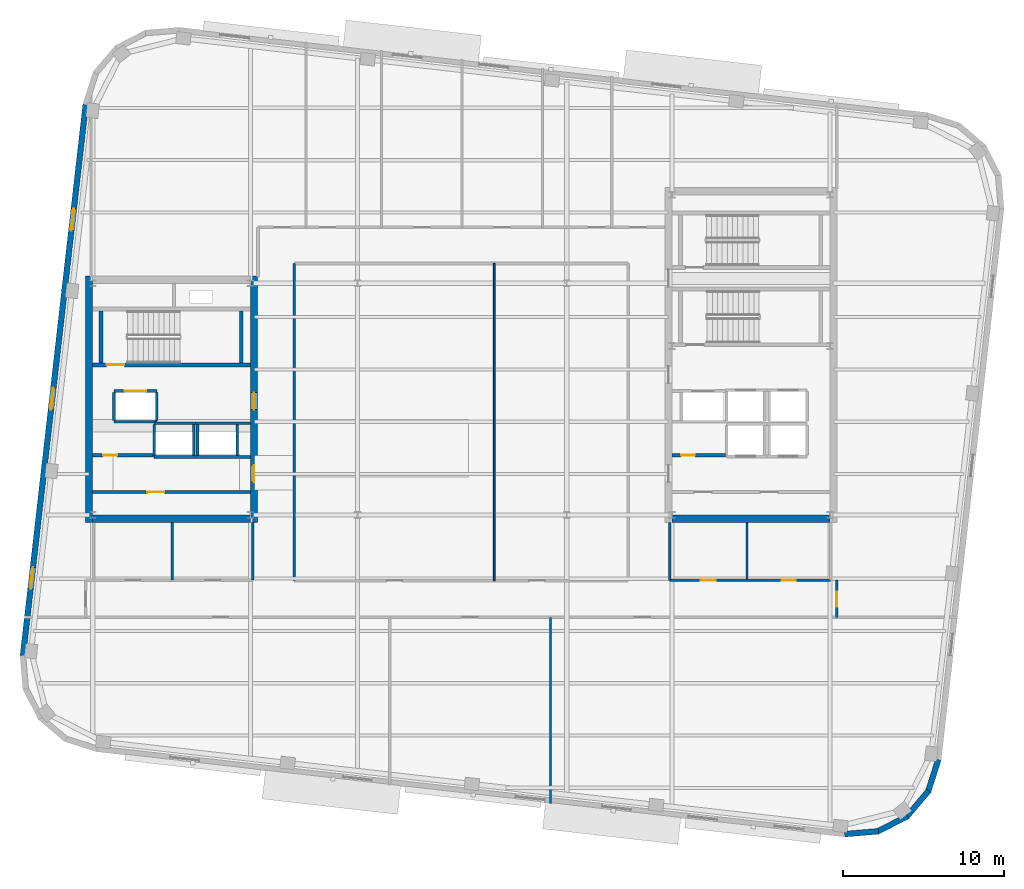
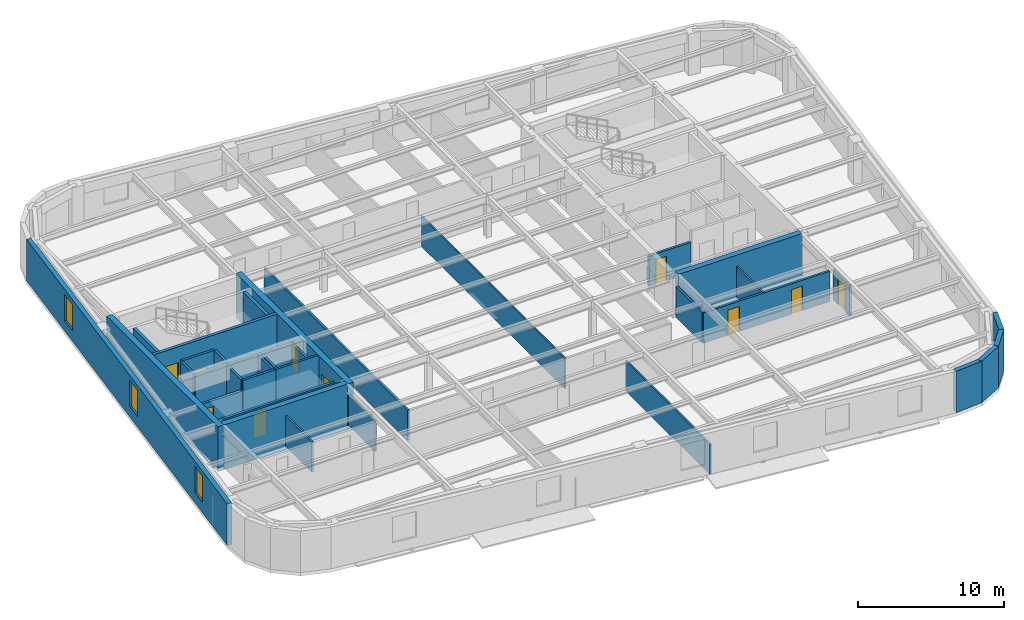
# One storey, part 6 of 13: 36 walls, 10 doors, 3 windows, 13 openings.
"""IFC4 building model written with IfcOpenShell, lengths in metres."""

from ifc_helpers import new_model, si_unit, direction, frame, frame_2d, origin, place, context, subcontext, project, spatial, rectangle, extrude, material, layer, layer_set, type_object, element, fill, save


model = new_model("IFC4")

# Units and contexts
model_context = context("Model", 3, precision=1e-05, world=origin(), true_north=direction((0.0, 1.0)))
body_context = subcontext(model_context, "Body", "Model", "MODEL_VIEW")
ifc_project = project(units=[si_unit("LENGTHUNIT", "METRE"), si_unit("AREAUNIT", "SQUARE_METRE"), si_unit("VOLUMEUNIT", "CUBIC_METRE"), si_unit("PLANEANGLEUNIT", "RADIAN"), si_unit("MASSUNIT", "GRAM", prefix="KILO")], contexts=[model_context])

# Site, building, storey
site_placement = place(None, origin())
site = spatial("IfcSite", under=ifc_project, at=site_placement, CompositionType="ELEMENT")
building_placement = place(site_placement, origin())
building = spatial("IfcBuilding", under=site, at=building_placement, Name="Kolvaren Arena Tower", CompositionType="ELEMENT")
storey_placement = place(building_placement, frame((0.0, 0.0, 239.699951171875)))
storey = spatial("IfcBuildingStorey", under=building, at=storey_placement, Name="L58", CompositionType="ELEMENT", Elevation=239.699951171875)

# Wall
ifc_material_1 = material(Name="Gypsum board acoustic assembly", Category="gypsum")
ifc_layer_1 = layer(ifc_material_1, 0.159912109375)
ifc_layer_set_1 = layer_set([ifc_layer_1], Name="Gypsum board acoustic assembly")
wall_type_1 = type_object("IfcWallType", Name="CORR-160", PredefinedType="PARTITIONING", material=ifc_layer_set_1)
wall_1_placement = place(storey_placement, frame((27.080078125, 15.3798828125, 0.0), z_axis=(0.0, 0.0, 1.0), x_axis=(0.0, 1.0, 0.0)))
element("IfcWall", 1, at=wall_1_placement, inside=storey, type_object=wall_type_1, Name="Interior Partition Wall (L58)", PredefinedType="PARTITIONING", context=body_context, shape_type="SweptSolid", body=[
    extrude(rectangle(XDim=19.7001953125, YDim=0.159912109375, at=frame_2d((9.85009765625, 0.0))), origin(), (0.0, 0.0, 1.0), 2.5400390625),
])

# Wall, opening, door
wall_2_placement = place(storey_placement, frame((60.780029296875, 13.10009765625, 0.0), z_axis=(0.0, 0.0, 1.0), x_axis=(0.0, 1.0, 0.0)))
wall_2 = element("IfcWall", 2, at=wall_2_placement, inside=storey, type_object=wall_type_1, Name="Interior Partition Wall (L58)", PredefinedType="PARTITIONING", context=body_context, shape_type="SweptSolid", body=[
    extrude(rectangle(XDim=2.2998046875, YDim=0.159912109375, at=frame_2d((1.14990234375, 0.0))), origin(), (0.0, 0.0, 1.0), 2.5400390625),
])
opening_1_placement = place(wall_2_placement, frame((0.64990234375, 0.0, 0.0)))
opening_1 = element("IfcOpeningElement", 3, at=opening_1_placement, cuts=wall_2, Name="Opening D05", PredefinedType="OPENING", context=body_context, shape_type="SweptSolid", body=[
    extrude(rectangle(XDim=0.949951171875, YDim=2.14990234375, at=frame_2d((0.47509765625, 1.074951171875))), frame((0.0, 0.08984375, 0.0), z_axis=(0.0, -1.0, 0.0), x_axis=(1.0, 0.0, 0.0)), (0.0, 0.0, 1.0), 0.179931640625),
])
ifc_material_2 = material(Name="Solid-core oak acoustic office door", Category="wood")
door_type_1 = type_object("IfcDoorType", Name="DOOR-OF-095", OperationType="NOTDEFINED", PredefinedType="DOOR", material=ifc_material_2)
door_1_placement = place(opening_1_placement, origin())
door_1 = element("IfcDoor", 4, at=door_1_placement, inside=storey, type_object=door_type_1, Name="East Wing Studio Door (L58)", OperationType="SINGLE_SWING_RIGHT", OverallHeight=2.14990234375, OverallWidth=0.949951171875, PredefinedType="DOOR", context=body_context, shape_type="SweptSolid", body=[
    extrude(rectangle(XDim=0.949951171875, YDim=2.14990234375, at=frame_2d((0.47509765625, 1.074951171875))), frame((0.0, 0.02490234375, 0.0), z_axis=(0.0, -1.0, 0.0), x_axis=(1.0, 0.0, 0.0)), (0.0, 0.0, 1.0), 0.050048828125),
])
fill(opening_1, door_1)

# Wall
ifc_material_3 = material(Name="Concrete 55 MPa", Category="concrete")
ifc_layer_2 = layer(ifc_material_3, 0.449951171875)
ifc_layer_set_2 = layer_set([ifc_layer_2], Name="Concrete 55 MPa")
wall_type_2 = type_object("IfcWallType", Name="CWALL-450", PredefinedType="SHEAR", material=ifc_layer_set_2)
wall_3_placement = place(storey_placement, frame((14.324951171875, 19.0, -0.27001953125), z_axis=(0.0, 0.0, 1.0), x_axis=(0.0, 1.0, 0.0)))
element("IfcWall", 5, at=wall_3_placement, inside=storey, type_object=wall_type_2, Name="Core Shear Wall WC-WEST (L58)", PredefinedType="SHEAR", context=body_context, shape_type="SweptSolid", body=[
    extrude(rectangle(XDim=15.300048828125, YDim=0.449951171875, at=frame_2d((7.64990234375, 0.0))), origin(), (0.0, 0.0, 1.0), 3.75),
])

# Wall, openings, doors
wall_4_placement = place(storey_placement, frame((24.574951171875, 19.0, -0.27001953125), z_axis=(0.0, 0.0, 1.0), x_axis=(0.0, 1.0, 0.0)))
wall_4 = element("IfcWall", 6, at=wall_4_placement, inside=storey, type_object=wall_type_2, Name="Core Shear Wall WC-EAST (L58)", PredefinedType="SHEAR", context=body_context, shape_type="SweptSolid", body=[
    extrude(rectangle(XDim=15.300048828125, YDim=0.449951171875, at=frame_2d((7.64990234375, 0.0))), origin(), (0.0, 0.0, 1.0), 3.75),
])
opening_2_placement = place(wall_4_placement, frame((2.5, 0.0, 0.27001953125)))
opening_2 = element("IfcOpeningElement", 7, at=opening_2_placement, cuts=wall_4, Name="Opening D04", PredefinedType="OPENING", context=body_context, shape_type="SweptSolid", body=[
    extrude(rectangle(XDim=1.050048828125, YDim=2.14990234375, at=frame_2d((0.52490234375, 1.074951171875))), frame((0.0, 0.23486328125, 0.0), z_axis=(0.0, -1.0, 0.0), x_axis=(1.0, 0.0, 0.0)), (0.0, 0.0, 1.0), 0.469970703125),
])
opening_3_placement = place(wall_4_placement, frame((7.0, 0.0, 0.27001953125)))
opening_3 = element("IfcOpeningElement", 8, at=opening_3_placement, cuts=wall_4, Name="Opening D04", PredefinedType="OPENING", context=body_context, shape_type="SweptSolid", body=[
    extrude(rectangle(XDim=1.050048828125, YDim=2.14990234375, at=frame_2d((0.52490234375, 1.074951171875))), frame((0.0, 0.23486328125, 0.0), z_axis=(0.0, -1.0, 0.0), x_axis=(1.0, 0.0, 0.0)), (0.0, 0.0, 1.0), 0.469970703125),
])
ifc_material_4 = material(Name="Fire-rated steel lobby door", Category="steel")
door_type_2 = type_object("IfcDoorType", Name="DOOR-FF-105", OperationType="NOTDEFINED", PredefinedType="DOOR", material=ifc_material_4)
door_2_placement = place(opening_2_placement, origin())
door_2 = element("IfcDoor", 9, at=door_2_placement, inside=storey, type_object=door_type_2, Name="West Lift Lobby Fire Door (L58)", OperationType="SINGLE_SWING_LEFT", OverallHeight=2.14990234375, OverallWidth=1.050048828125, PredefinedType="DOOR", context=body_context, shape_type="SweptSolid", body=[
    extrude(rectangle(XDim=1.050048828125, YDim=2.14990234375, at=frame_2d((0.52490234375, 1.074951171875))), frame((0.0, 0.02490234375, 0.0), z_axis=(0.0, -1.0, 0.0), x_axis=(1.0, 0.0, 0.0)), (0.0, 0.0, 1.0), 0.050048828125),
])
fill(opening_2, door_2)
door_3_placement = place(opening_3_placement, origin())
door_3 = element("IfcDoor", 10, at=door_3_placement, inside=storey, type_object=door_type_2, Name="West Firefighter Vestibule Door (L58)", OperationType="SINGLE_SWING_RIGHT", OverallHeight=2.14990234375, OverallWidth=1.050048828125, PredefinedType="DOOR", context=body_context, shape_type="SweptSolid", body=[
    extrude(rectangle(XDim=1.050048828125, YDim=2.14990234375, at=frame_2d((0.52490234375, 1.074951171875))), frame((0.0, 0.02490234375, 0.0), z_axis=(0.0, -1.0, 0.0), x_axis=(1.0, 0.0, 0.0)), (0.0, 0.0, 1.0), 0.050048828125),
])
fill(opening_3, door_3)

# Walls
for number, where, z_axis, x_axis, name in (
    (11, (14.550048828125, 19.22509765625, -0.27001953125), (0.0, 0.0, 1.0), (1.0, 0.0, 0.0), "Core Shear Wall WC-SOUTH (L58)"),
    (12, (50.550048828125, 19.22509765625, -0.27001953125), (0.0, 0.0, 1.0), (1.0, 0.0, 0.0), "Core Shear Wall EC-SOUTH (L58)"),
):
    element("IfcWall", number, at=place(storey_placement, frame(where, z_axis=z_axis, x_axis=x_axis)), inside=storey, type_object=wall_type_2, Name=name, PredefinedType="SHEAR", context=body_context, shape_type="SweptSolid", body=[
        extrude(rectangle(XDim=9.800048828125, YDim=0.449951171875, at=frame_2d((4.89990234375, 0.0))), origin(), (0.0, 0.0, 1.0), 3.75),
    ])
ifc_material_5 = material(Name="Precast concrete C50/60", Category="concrete")
ifc_layer_3 = layer(ifc_material_5, 0.360107421875)
ifc_layer_set_3 = layer_set([ifc_layer_3], Name="Precast concrete C50/60")
wall_type_3 = type_object("IfcWallType", Name="EXT-PIER2", PredefinedType="SOLIDWALL", material=ifc_layer_set_3)
wall_5_placement = place(storey_placement, frame((63.370361328125, -0.199462890625, 0.0), z_axis=(0.0, 0.0, 1.0), x_axis=(-0.996562518477, -0.082844111233, 0.0)))
element("IfcWall", 13, at=wall_5_placement, inside=storey, type_object=wall_type_3, Name="Exterior Precast Masonry-Frame Wall (L58)", PredefinedType="SOLIDWALL", context=body_context, shape_type="SweptSolid", body=[
    extrude(rectangle(XDim=2.107177734375, YDim=0.360107421875, at=frame_2d((1.0537109375, 0.0))), origin(), (0.0, 0.0, 1.0), 3.47998046875),
])
for number, where, z_axis, x_axis, name in (
    (14, (65.176025390625, 0.745849609375, 0.0), (0.0, 0.0, 1.0), (-0.888985992199, -0.457934390142, 0.0), "Exterior Precast Masonry-Frame Wall (L58)"),
    (15, (66.482421875, 2.310302734375, 0.0), (0.0, 0.0, 1.0), (-0.646103249464, -0.763250018691, 0.0), "Exterior Precast Masonry-Frame Wall (L58)"),
):
    element("IfcWall", number, at=place(storey_placement, frame(where, z_axis=z_axis, x_axis=x_axis)), inside=storey, type_object=wall_type_3, Name=name, PredefinedType="SOLIDWALL", context=body_context, shape_type="SweptSolid", body=[
        extrude(rectangle(XDim=2.10693359375, YDim=0.360107421875, at=frame_2d((1.053466796875, 0.0))), origin(), (0.0, 0.0, 1.0), 3.47998046875),
    ])
wall_6_placement = place(storey_placement, frame((67.0908203125, 4.255615234375, 0.0), z_axis=(0.0, 0.0, 1.0), x_axis=(-0.304838787518, -0.952403965565, 0.0)))
element("IfcWall", 16, at=wall_6_placement, inside=storey, type_object=wall_type_3, Name="Exterior Precast Masonry-Frame Wall (L58)", PredefinedType="SOLIDWALL", context=body_context, shape_type="SweptSolid", body=[
    extrude(rectangle(XDim=2.107177734375, YDim=0.360107421875, at=frame_2d((1.0537109375, 0.0))), origin(), (0.0, 0.0, 1.0), 3.47998046875),
])

# Wall, openings, windows
wall_7_placement = place(storey_placement, frame((10.211181640625, 10.70068359375, 0.0), z_axis=(0.0, 0.0, 1.0), x_axis=(0.113203107947, 0.993571867733, 0.0)))
wall_7 = element("IfcWall", 17, at=wall_7_placement, inside=storey, type_object=wall_type_3, Name="Exterior Precast Masonry-Frame Wall (L58)", PredefinedType="SOLIDWALL", context=body_context, shape_type="SweptSolid", body=[
    extrude(rectangle(XDim=34.5, YDim=0.360107421875, at=frame_2d((17.25, 0.0))), origin(), (0.0, 0.0, 1.0), 3.47998046875),
])
opening_4_placement = place(wall_7_placement, frame((4.199951171875, 0.0, 0.8798828125)))
opening_4 = element("IfcOpeningElement", 18, at=opening_4_placement, cuts=wall_7, Name="Opening W04", PredefinedType="OPENING", context=body_context, shape_type="SweptSolid", body=[
    extrude(rectangle(XDim=1.35009765625, YDim=2.199951171875, at=frame_2d((0.675048828125, 1.10009765625))), frame((0.0, 0.18994140625, 0.0), z_axis=(0.0, -1.0, 0.0), x_axis=(1.0, 0.0, 0.0)), (0.0, 0.0, 1.0), 0.380126953125),
])
opening_5_placement = place(wall_7_placement, frame((15.39990234375, 0.0, 0.8798828125)))
opening_5 = element("IfcOpeningElement", 19, at=opening_5_placement, cuts=wall_7, Name="Opening W04", PredefinedType="OPENING", context=body_context, shape_type="SweptSolid", body=[
    extrude(rectangle(XDim=1.35009765625, YDim=2.199951171875, at=frame_2d((0.675048828125, 1.10009765625))), frame((0.0, 0.18994140625, 0.0), z_axis=(0.0, -1.0, 0.0), x_axis=(1.0, 0.0, 0.0)), (0.0, 0.0, 1.0), 0.380126953125),
])
opening_6_placement = place(wall_7_placement, frame((26.60009765625, 0.0, 0.8798828125)))
opening_6 = element("IfcOpeningElement", 20, at=opening_6_placement, cuts=wall_7, Name="Opening W04", PredefinedType="OPENING", context=body_context, shape_type="SweptSolid", body=[
    extrude(rectangle(XDim=1.35009765625, YDim=2.199951171875, at=frame_2d((0.675048828125, 1.10009765625))), frame((0.0, 0.18994140625, 0.0), z_axis=(0.0, -1.0, 0.0), x_axis=(1.0, 0.0, 0.0)), (0.0, 0.0, 1.0), 0.380126953125),
])
ifc_material_6 = material(Name="Triple-glazed curved-facet corner window", Category="glass")
window_type = type_object("IfcWindowType", Name="WIN-CRN-A", PartitioningType="SINGLE_PANEL", PredefinedType="WINDOW", material=ifc_material_6)
window_1_placement = place(opening_4_placement, origin())
window_1 = element("IfcWindow", 21, at=window_1_placement, inside=storey, type_object=window_type, Name="End-Wall Punched Window (L58)", OverallHeight=2.199951171875, OverallWidth=1.35009765625, PartitioningType="SINGLE_PANEL", PredefinedType="WINDOW", context=body_context, shape_type="SweptSolid", body=[
    extrude(rectangle(XDim=1.35009765625, YDim=2.199951171875, at=frame_2d((0.675048828125, 1.10009765625))), frame((0.0, 0.030029296875, 0.0), z_axis=(0.0, -1.0, 0.0), x_axis=(1.0, 0.0, 0.0)), (0.0, 0.0, 1.0), 0.06005859375),
])
fill(opening_4, window_1)
window_2_placement = place(opening_5_placement, origin())
window_2 = element("IfcWindow", 22, at=window_2_placement, inside=storey, type_object=window_type, Name="End-Wall Punched Window (L58)", OverallHeight=2.199951171875, OverallWidth=1.35009765625, PartitioningType="SINGLE_PANEL", PredefinedType="WINDOW", context=body_context, shape_type="SweptSolid", body=[
    extrude(rectangle(XDim=1.35009765625, YDim=2.199951171875, at=frame_2d((0.675048828125, 1.10009765625))), frame((0.0, 0.030029296875, 0.0), z_axis=(0.0, -1.0, 0.0), x_axis=(1.0, 0.0, 0.0)), (0.0, 0.0, 1.0), 0.06005859375),
])
fill(opening_5, window_2)
window_3_placement = place(opening_6_placement, origin())
window_3 = element("IfcWindow", 23, at=window_3_placement, inside=storey, type_object=window_type, Name="End-Wall Punched Window (L58)", OverallHeight=2.199951171875, OverallWidth=1.35009765625, PartitioningType="SINGLE_PANEL", PredefinedType="WINDOW", context=body_context, shape_type="SweptSolid", body=[
    extrude(rectangle(XDim=1.35009765625, YDim=2.199951171875, at=frame_2d((0.675048828125, 1.10009765625))), frame((0.0, 0.030029296875, 0.0), z_axis=(0.0, -1.0, 0.0), x_axis=(1.0, 0.0, 0.0)), (0.0, 0.0, 1.0), 0.06005859375),
])
fill(opening_6, window_3)

# Wall, opening, door
ifc_material_7 = material(Name="Concrete 40 MPa", Category="concrete")
ifc_layer_4 = layer(ifc_material_7, 0.199951171875)
ifc_layer_set_4 = layer_set([ifc_layer_4], Name="Concrete 40 MPa")
wall_type_4 = type_object("IfcWallType", Name="LOBBY-200", PredefinedType="SOLIDWALL", material=ifc_layer_set_4)
wall_8_placement = place(storey_placement, frame((50.550048828125, 23.159912109375, 0.0), z_axis=(0.0, 0.0, 1.0), x_axis=(1.0, 0.0, 0.0)))
wall_8 = element("IfcWall", 24, at=wall_8_placement, inside=storey, type_object=wall_type_4, Name="Core Shaft Wall (L58)", PredefinedType="SOLIDWALL", context=body_context, shape_type="SweptSolid", body=[
    extrude(rectangle(XDim=3.329833984375, YDim=0.199951171875, at=frame_2d((1.6650390625, 0.0))), origin(), (0.0, 0.0, 1.0), 2.5400390625),
])
opening_7_placement = place(wall_8_placement, frame((0.550048828125, 0.0, 0.0)))
opening_7 = element("IfcOpeningElement", 25, at=opening_7_placement, cuts=wall_8, Name="Opening D09", PredefinedType="OPENING", context=body_context, shape_type="SweptSolid", body=[
    extrude(rectangle(XDim=0.860107421875, YDim=2.050048828125, at=frame_2d((0.43017578125, 1.02490234375))), frame((0.0, 0.10986328125, 0.0), z_axis=(0.0, -1.0, 0.0), x_axis=(1.0, 0.0, 0.0)), (0.0, 0.0, 1.0), 0.219970703125),
])
ifc_material_8 = material(Name="Fire-rated steel riser access door", Category="steel")
door_type_3 = type_object("IfcDoorType", Name="DOOR-RS-086", OperationType="NOTDEFINED", PredefinedType="DOOR", material=ifc_material_8)
door_4_placement = place(opening_7_placement, origin())
door_4 = element("IfcDoor", 26, at=door_4_placement, inside=storey, type_object=door_type_3, Name="East AV Riser Closet Door (L58)", OperationType="SINGLE_SWING_LEFT", OverallHeight=2.050048828125, OverallWidth=0.860107421875, PredefinedType="DOOR", context=body_context, shape_type="SweptSolid", body=[
    extrude(rectangle(XDim=0.860107421875, YDim=2.050048828125, at=frame_2d((0.43017578125, 1.02490234375))), frame((0.0, 0.02490234375, 0.0), z_axis=(0.0, -1.0, 0.0), x_axis=(1.0, 0.0, 0.0)), (0.0, 0.0, 1.0), 0.050048828125),
])
fill(opening_7, door_4)

wall_9_placement = place(storey_placement, frame((14.550048828125, 20.8798828125, 0.0), z_axis=(0.0, 0.0, 1.0), x_axis=(1.0, 0.0, 0.0)))
wall_9 = element("IfcWall", 27, at=wall_9_placement, inside=storey, type_object=wall_type_4, Name="Core Shaft Wall (L58)", PredefinedType="SOLIDWALL", context=body_context, shape_type="SweptSolid", body=[
    extrude(rectangle(XDim=9.800048828125, YDim=0.199951171875, at=frame_2d((4.89990234375, 0.0))), origin(), (0.0, 0.0, 1.0), 2.5400390625),
])
opening_8_placement = place(wall_9_placement, frame((3.39990234375, 0.0, 0.0)))
opening_8 = element("IfcOpeningElement", 28, at=opening_8_placement, cuts=wall_9, Name="Opening D04", PredefinedType="OPENING", context=body_context, shape_type="SweptSolid", body=[
    extrude(rectangle(XDim=1.050048828125, YDim=2.14990234375, at=frame_2d((0.52490234375, 1.074951171875))), frame((0.0, 0.10986328125, 0.0), z_axis=(0.0, -1.0, 0.0), x_axis=(1.0, 0.0, 0.0)), (0.0, 0.0, 1.0), 0.219970703125),
])
door_5_placement = place(opening_8_placement, origin())
door_5 = element("IfcDoor", 29, at=door_5_placement, inside=storey, type_object=door_type_2, Name="West IT Room Fire Door (L58)", OperationType="SINGLE_SWING_LEFT", OverallHeight=2.14990234375, OverallWidth=1.050048828125, PredefinedType="DOOR", context=body_context, shape_type="SweptSolid", body=[
    extrude(rectangle(XDim=1.050048828125, YDim=2.14990234375, at=frame_2d((0.52490234375, 1.074951171875))), frame((0.0, 0.02490234375, 0.0), z_axis=(0.0, -1.0, 0.0), x_axis=(1.0, 0.0, 0.0)), (0.0, 0.0, 1.0), 0.050048828125),
])
fill(opening_8, door_5)

wall_10_placement = place(storey_placement, frame((14.550048828125, 23.159912109375, 0.0), z_axis=(0.0, 0.0, 1.0), x_axis=(1.0, 0.0, 0.0)))
wall_10 = element("IfcWall", 30, at=wall_10_placement, inside=storey, type_object=wall_type_4, Name="Core Shaft Wall (L58)", PredefinedType="SOLIDWALL", context=body_context, shape_type="SweptSolid", body=[
    extrude(rectangle(XDim=3.820068359375, YDim=0.199951171875, at=frame_2d((1.91015625, 0.0))), origin(), (0.0, 0.0, 1.0), 2.5400390625),
])
opening_9_placement = place(wall_10_placement, frame((0.64990234375, 0.0, 0.0)))
opening_9 = element("IfcOpeningElement", 31, at=opening_9_placement, cuts=wall_10, Name="Opening D09", PredefinedType="OPENING", context=body_context, shape_type="SweptSolid", body=[
    extrude(rectangle(XDim=0.860107421875, YDim=2.050048828125, at=frame_2d((0.43017578125, 1.02490234375))), frame((0.0, 0.10986328125, 0.0), z_axis=(0.0, -1.0, 0.0), x_axis=(1.0, 0.0, 0.0)), (0.0, 0.0, 1.0), 0.219970703125),
])
door_6_placement = place(opening_9_placement, origin())
door_6 = element("IfcDoor", 32, at=door_6_placement, inside=storey, type_object=door_type_3, Name="West Document Archive Riser Door (L58)", OperationType="SINGLE_SWING_RIGHT", OverallHeight=2.050048828125, OverallWidth=0.860107421875, PredefinedType="DOOR", context=body_context, shape_type="SweptSolid", body=[
    extrude(rectangle(XDim=0.860107421875, YDim=2.050048828125, at=frame_2d((0.43017578125, 1.02490234375))), frame((0.0, 0.02490234375, 0.0), z_axis=(0.0, -1.0, 0.0), x_axis=(1.0, 0.0, 0.0)), (0.0, 0.0, 1.0), 0.050048828125),
])
fill(opening_9, door_6)

# Walls
ifc_material_9 = material(Name="Gypsum board partition assembly", Category="gypsum")
ifc_layer_5 = layer(ifc_material_9, 0.114990234375)
ifc_layer_set_5 = layer_set([ifc_layer_5], Name="Gypsum board partition assembly")
wall_type_5 = type_object("IfcWallType", Name="PART-115", PredefinedType="PARTITIONING", material=ifc_layer_set_5)
wall_11_placement = place(storey_placement, frame((39.5, 15.3798828125, 0.0), z_axis=(0.0, 0.0, 1.0), x_axis=(0.0, 1.0, 0.0)))
element("IfcWall", 33, at=wall_11_placement, inside=storey, type_object=wall_type_5, Name="Interior Partition Wall (L58)", PredefinedType="PARTITIONING", context=body_context, shape_type="SweptSolid", body=[
    extrude(rectangle(XDim=19.7001953125, YDim=0.114990234375, at=frame_2d((9.85009765625, 0.0))), origin(), (0.0, 0.0, 1.0), 2.5400390625),
])
ifc_layer_6 = layer(ifc_material_9, 0.135009765625)
ifc_layer_set_6 = layer_set([ifc_layer_6], Name="Gypsum board partition assembly")
wall_type_6 = type_object("IfcWallType", Name="PART-135", PredefinedType="PARTITIONING", material=ifc_layer_set_6)
wall_12_placement = place(storey_placement, frame((43.0, 1.530029296875, 0.0), z_axis=(0.0, 0.0, 1.0), x_axis=(0.0, 1.0, 0.0)))
element("IfcWall", 34, at=wall_12_placement, inside=storey, type_object=wall_type_6, Name="Interior Partition Wall (L58)", PredefinedType="PARTITIONING", context=body_context, shape_type="SweptSolid", body=[
    extrude(rectangle(XDim=11.570068359375, YDim=0.135009765625, at=frame_2d((5.78515625, 0.0))), origin(), (0.0, 0.0, 1.0), 2.5400390625),
])

# Wall, opening, door
ifc_material_10 = material(Name="Concrete 45 MPa", Category="concrete")
ifc_layer_7 = layer(ifc_material_10, 0.25)
ifc_layer_set_7 = layer_set([ifc_layer_7], Name="Concrete 45 MPa")
wall_type_7 = type_object("IfcWallType", Name="SHAFT-250", PredefinedType="SOLIDWALL", material=ifc_layer_set_7)
wall_13_placement = place(storey_placement, frame((24.35009765625, 28.780029296875, 0.0), z_axis=(0.0, 0.0, 1.0), x_axis=(-1.0, 0.0, 0.0)))
wall_13 = element("IfcWall", 35, at=wall_13_placement, inside=storey, type_object=wall_type_7, Name="Core Shaft Wall (L58)", PredefinedType="SOLIDWALL", context=body_context, shape_type="SweptSolid", body=[
    extrude(rectangle(XDim=9.800048828125, YDim=0.239990234375, at=frame_2d((4.89990234375, 0.0))), origin(), (0.0, 0.0, 1.0), 3.47998046875),
])
opening_10_placement = place(wall_13_placement, frame((7.830078125, 0.0, 0.0)))
opening_10 = element("IfcOpeningElement", 36, at=opening_10_placement, cuts=wall_13, Name="Opening D03", PredefinedType="OPENING", context=body_context, shape_type="SweptSolid", body=[
    extrude(rectangle(XDim=1.10009765625, YDim=2.14990234375, at=frame_2d((0.550048828125, 1.074951171875))), frame((0.0, 0.1298828125, 0.0), z_axis=(0.0, -1.0, 0.0), x_axis=(1.0, 0.0, 0.0)), (0.0, 0.0, 1.0), 0.260009765625),
])
ifc_material_11 = material(Name="Fire-rated steel exit stair door", Category="steel")
door_type_4 = type_object("IfcDoorType", Name="DOOR-ST-110", OperationType="NOTDEFINED", PredefinedType="DOOR", material=ifc_material_11)
door_7_placement = place(opening_10_placement, origin())
door_7 = element("IfcDoor", 37, at=door_7_placement, inside=storey, type_object=door_type_4, Name="Stair ST-W1 Fire Door (L58)", OperationType="SINGLE_SWING_RIGHT", OverallHeight=2.14990234375, OverallWidth=1.10009765625, PredefinedType="DOOR", context=body_context, shape_type="SweptSolid", body=[
    extrude(rectangle(XDim=1.10009765625, YDim=2.14990234375, at=frame_2d((0.550048828125, 1.074951171875))), frame((0.0, 0.02490234375, 0.0), z_axis=(0.0, -1.0, 0.0), x_axis=(1.0, 0.0, 0.0)), (0.0, 0.0, 1.0), 0.050048828125),
])
fill(opening_10, door_7)

# Walls
for number, where, z_axis, x_axis, name in (
    (38, (15.06005859375, 28.89990234375, 0.0), (0.0, 0.0, 1.0), (0.0, 1.0, 0.0), "Core Shaft Wall (L58)"),
    (39, (23.780029296875, 28.89990234375, 0.0), (0.0, 0.0, 1.0), (0.0, 1.0, 0.0), "Core Shaft Wall (L58)"),
):
    element("IfcWall", number, at=place(storey_placement, frame(where, z_axis=z_axis, x_axis=x_axis)), inside=storey, type_object=wall_type_7, Name=name, PredefinedType="SOLIDWALL", context=body_context, shape_type="SweptSolid", body=[
        extrude(rectangle(XDim=3.22998046875, YDim=0.239990234375, at=frame_2d((1.614990234375, 0.0))), origin(), (0.0, 0.0, 1.0), 3.47998046875),
    ])
for number, where, z_axis, x_axis, name in (
    (40, (18.3701171875, 25.155029296875, 0.0), (0.0, 0.0, 1.0), (1.0, 0.0, 0.0), "Core Shaft Wall (L58)"),
    (41, (18.3701171875, 23.044921875, 0.0), (0.0, 0.0, 1.0), (1.0, 0.0, 0.0), "Core Shaft Wall (L58)"),
):
    element("IfcWall", number, at=place(storey_placement, frame(where, z_axis=z_axis, x_axis=x_axis)), inside=storey, type_object=wall_type_7, Name=name, PredefinedType="SOLIDWALL", context=body_context, shape_type="SweptSolid", body=[
        extrude(rectangle(XDim=2.579833984375, YDim=0.179931640625, at=frame_2d((1.2900390625, 0.0))), origin(), (0.0, 0.0, 1.0), 3.47998046875),
    ])
for number, where, z_axis, x_axis, name in (
    (42, (18.3701171875, 23.135009765625, 0.0), (0.0, 0.0, 1.0), (0.0, 1.0, 0.0), "Core Shaft Wall (L58)"),
    (43, (20.830078125, 23.135009765625, 0.0), (0.0, 0.0, 1.0), (0.0, 1.0, 0.0), "Core Shaft Wall (L58)"),
):
    element("IfcWall", number, at=place(storey_placement, frame(where, z_axis=z_axis, x_axis=x_axis)), inside=storey, type_object=wall_type_7, Name=name, PredefinedType="SOLIDWALL", context=body_context, shape_type="SweptSolid", body=[
        extrude(rectangle(XDim=1.929931640625, YDim=0.179931640625, at=frame_2d((0.96484375, 0.0))), origin(), (0.0, 0.0, 1.0), 3.47998046875),
    ])
for number, where, z_axis, x_axis, name in (
    (44, (20.949951171875, 25.155029296875, 0.0), (0.0, 0.0, 1.0), (1.0, 0.0, 0.0), "Core Shaft Wall (L58)"),
    (45, (20.949951171875, 23.044921875, 0.0), (0.0, 0.0, 1.0), (1.0, 0.0, 0.0), "Core Shaft Wall (L58)"),
):
    element("IfcWall", number, at=place(storey_placement, frame(where, z_axis=z_axis, x_axis=x_axis)), inside=storey, type_object=wall_type_7, Name=name, PredefinedType="SOLIDWALL", context=body_context, shape_type="SweptSolid", body=[
        extrude(rectangle(XDim=3.400146484375, YDim=0.179931640625, at=frame_2d((1.7001953125, 0.0))), origin(), (0.0, 0.0, 1.0), 3.47998046875),
    ])
for number, where, z_axis, x_axis, name in (
    (46, (21.070068359375, 23.135009765625, 0.0), (0.0, 0.0, 1.0), (0.0, 1.0, 0.0), "Core Shaft Wall (L58)"),
    (47, (23.530029296875, 23.135009765625, 0.0), (0.0, 0.0, 1.0), (0.0, 1.0, 0.0), "Core Shaft Wall (L58)"),
):
    element("IfcWall", number, at=place(storey_placement, frame(where, z_axis=z_axis, x_axis=x_axis)), inside=storey, type_object=wall_type_7, Name=name, PredefinedType="SOLIDWALL", context=body_context, shape_type="SweptSolid", body=[
        extrude(rectangle(XDim=1.929931640625, YDim=0.179931640625, at=frame_2d((0.96484375, 0.0))), origin(), (0.0, 0.0, 1.0), 3.47998046875),
    ])

# Wall, opening, door
wall_14_placement = place(storey_placement, frame((15.8701171875, 27.155029296875, 0.0), z_axis=(0.0, 0.0, 1.0), x_axis=(1.0, 0.0, 0.0)))
wall_14 = element("IfcWall", 48, at=wall_14_placement, inside=storey, type_object=wall_type_7, Name="Core Shaft Wall (L58)", PredefinedType="SOLIDWALL", context=body_context, shape_type="SweptSolid", body=[
    extrude(rectangle(XDim=2.659912109375, YDim=0.179931640625, at=frame_2d((1.330078125, 0.0))), origin(), (0.0, 0.0, 1.0), 3.47998046875),
])
opening_11_placement = place(wall_14_placement, frame((0.655029296875, 0.0, 0.0)))
opening_11 = element("IfcOpeningElement", 49, at=opening_11_placement, cuts=wall_14, Name="Opening LD2", PredefinedType="OPENING", context=body_context, shape_type="SweptSolid", body=[
    extrude(rectangle(XDim=1.35009765625, YDim=2.300048828125, at=frame_2d((0.675048828125, 1.14990234375))), frame((0.0, 0.099853515625, 0.0), z_axis=(0.0, -1.0, 0.0), x_axis=(1.0, 0.0, 0.0)), (0.0, 0.0, 1.0), 0.199951171875),
])
ifc_material_12 = material(Name="Stainless steel firefighter lift landing door", Category="steel")
door_type_5 = type_object("IfcDoorType", Name="DOOR-LD-135", OperationType="DOUBLE_DOOR_SLIDING", PredefinedType="DOOR", material=ifc_material_12)
door_8_placement = place(opening_11_placement, origin())
door_8 = element("IfcDoor", 50, at=door_8_placement, inside=storey, type_object=door_type_5, Name="Firefighter Lift FF-W1 Landing Door (L58)", OperationType="DOUBLE_DOOR_SLIDING", OverallHeight=2.300048828125, OverallWidth=1.35009765625, PredefinedType="DOOR", context=body_context, shape_type="SweptSolid", body=[
    extrude(rectangle(XDim=1.35009765625, YDim=2.300048828125, at=frame_2d((0.675048828125, 1.14990234375))), frame((0.0, 0.02490234375, 0.0), z_axis=(0.0, -1.0, 0.0), x_axis=(1.0, 0.0, 0.0)), (0.0, 0.0, 1.0), 0.050048828125),
])
fill(opening_11, door_8)

# Walls
wall_15_placement = place(storey_placement, frame((15.8701171875, 25.2451171875, 0.0), z_axis=(0.0, 0.0, 1.0), x_axis=(1.0, 0.0, 0.0)))
element("IfcWall", 51, at=wall_15_placement, inside=storey, type_object=wall_type_7, Name="Core Shaft Wall (L58)", PredefinedType="SOLIDWALL", context=body_context, shape_type="SweptSolid", body=[
    extrude(rectangle(XDim=2.659912109375, YDim=0.179931640625, at=frame_2d((1.330078125, 0.0))), origin(), (0.0, 0.0, 1.0), 3.47998046875),
])
for number, where, z_axis, x_axis, name in (
    (52, (15.8701171875, 25.3349609375, 0.0), (0.0, 0.0, 1.0), (0.0, 1.0, 0.0), "Core Shaft Wall (L58)"),
    (53, (18.530029296875, 25.3349609375, 0.0), (0.0, 0.0, 1.0), (0.0, 1.0, 0.0), "Core Shaft Wall (L58)"),
):
    element("IfcWall", number, at=place(storey_placement, frame(where, z_axis=z_axis, x_axis=x_axis)), inside=storey, type_object=wall_type_7, Name=name, PredefinedType="SOLIDWALL", context=body_context, shape_type="SweptSolid", body=[
        extrude(rectangle(XDim=1.72998046875, YDim=0.179931640625, at=frame_2d((0.864990234375, 0.0))), origin(), (0.0, 0.0, 1.0), 3.47998046875),
    ])

# Wall, openings, doors
wall_16_placement = place(storey_placement, frame((50.39990234375, 15.39990234375, 0.0), z_axis=(0.0, 0.0, 1.0), x_axis=(1.0, 0.0, 0.0)))
wall_16 = element("IfcWall", 54, at=wall_16_placement, inside=storey, type_object=wall_type_7, Name="Interior Partition Wall (L58)", PredefinedType="SOLIDWALL", context=body_context, shape_type="SweptSolid", body=[
    extrude(rectangle(XDim=10.0, YDim=0.179931640625, at=frame_2d((5.0, 0.0))), origin(), (0.0, 0.0, 1.0), 2.5400390625),
])
opening_12_placement = place(wall_16_placement, frame((1.93994140625, 0.0, 0.0)))
opening_12 = element("IfcOpeningElement", 55, at=opening_12_placement, cuts=wall_16, Name="Opening D07", PredefinedType="OPENING", context=body_context, shape_type="SweptSolid", body=[
    extrude(rectangle(XDim=0.919921875, YDim=2.10009765625, at=frame_2d((0.4599609375, 1.050048828125))), frame((0.0, 0.099853515625, 0.0), z_axis=(0.0, -1.0, 0.0), x_axis=(1.0, 0.0, 0.0)), (0.0, 0.0, 1.0), 0.199951171875),
])
opening_13_placement = place(wall_16_placement, frame((6.969970703125, 0.0, 0.0)))
opening_13 = element("IfcOpeningElement", 56, at=opening_13_placement, cuts=wall_16, Name="Opening D09", PredefinedType="OPENING", context=body_context, shape_type="SweptSolid", body=[
    extrude(rectangle(XDim=0.860107421875, YDim=2.050048828125, at=frame_2d((0.43017578125, 1.02490234375))), frame((0.0, 0.099853515625, 0.0), z_axis=(0.0, -1.0, 0.0), x_axis=(1.0, 0.0, 0.0)), (0.0, 0.0, 1.0), 0.199951171875),
])
door_9_placement = place(opening_13_placement, origin())
door_9 = element("IfcDoor", 57, at=door_9_placement, inside=storey, type_object=door_type_3, Name="Electrical Riser Closet Door (L58)", OperationType="SINGLE_SWING_LEFT", OverallHeight=2.050048828125, OverallWidth=0.860107421875, PredefinedType="DOOR", context=body_context, shape_type="SweptSolid", body=[
    extrude(rectangle(XDim=0.860107421875, YDim=2.050048828125, at=frame_2d((0.43017578125, 1.02490234375))), frame((0.0, 0.02490234375, 0.0), z_axis=(0.0, -1.0, 0.0), x_axis=(1.0, 0.0, 0.0)), (0.0, 0.0, 1.0), 0.050048828125),
])
fill(opening_13, door_9)
ifc_material_13 = material(Name="Laminate universal washroom door", Category="wood")
door_type_6 = type_object("IfcDoorType", Name="DOOR-WC-092", OperationType="NOTDEFINED", PredefinedType="DOOR", material=ifc_material_13)
door_10_placement = place(opening_12_placement, origin())
door_10 = element("IfcDoor", 58, at=door_10_placement, inside=storey, type_object=door_type_6, Name="Cleaner and Janitor Store Door (L58)", OperationType="SINGLE_SWING_RIGHT", OverallHeight=2.10009765625, OverallWidth=0.919921875, PredefinedType="DOOR", context=body_context, shape_type="SweptSolid", body=[
    extrude(rectangle(XDim=0.919921875, YDim=2.10009765625, at=frame_2d((0.4599609375, 1.050048828125))), frame((0.0, 0.02490234375, 0.0), z_axis=(0.0, -1.0, 0.0), x_axis=(1.0, 0.0, 0.0)), (0.0, 0.0, 1.0), 0.050048828125),
])
fill(opening_12, door_10)

# Walls
ifc_material_14 = material(Name="Moisture-resistant gypsum assembly", Category="gypsum")
ifc_layer_8 = layer(ifc_material_14, 0.14990234375)
ifc_layer_set_8 = layer_set([ifc_layer_8], Name="Moisture-resistant gypsum assembly")
wall_type_8 = type_object("IfcWallType", Name="WETW-150", PredefinedType="PARTITIONING", material=ifc_layer_set_8)
for number, where, z_axis, x_axis, name in (
    (59, (19.5, 15.39990234375, 0.0), (0.0, 0.0, 1.0), (0.0, 1.0, 0.0), "Interior Partition Wall (L58)"),
    (60, (24.5, 15.39990234375, 0.0), (0.0, 0.0, 1.0), (0.0, 1.0, 0.0), "Interior Partition Wall (L58)"),
    (61, (55.199951171875, 15.39990234375, 0.0), (0.0, 0.0, 1.0), (0.0, 1.0, 0.0), "Interior Partition Wall (L58)"),
    (62, (50.39990234375, 15.39990234375, 0.0), (0.0, 0.0, 1.0), (0.0, 1.0, 0.0), "Interior Partition Wall (L58)"),
):
    element("IfcWall", number, at=place(storey_placement, frame(where, z_axis=z_axis, x_axis=x_axis)), inside=storey, type_object=wall_type_8, Name=name, PredefinedType="PARTITIONING", context=body_context, shape_type="SweptSolid", body=[
        extrude(rectangle(XDim=3.580078125, YDim=0.14990234375, at=frame_2d((1.7900390625, 0.0))), origin(), (0.0, 0.0, 1.0), 2.5400390625),
    ])

save(model, "model.ifc")
